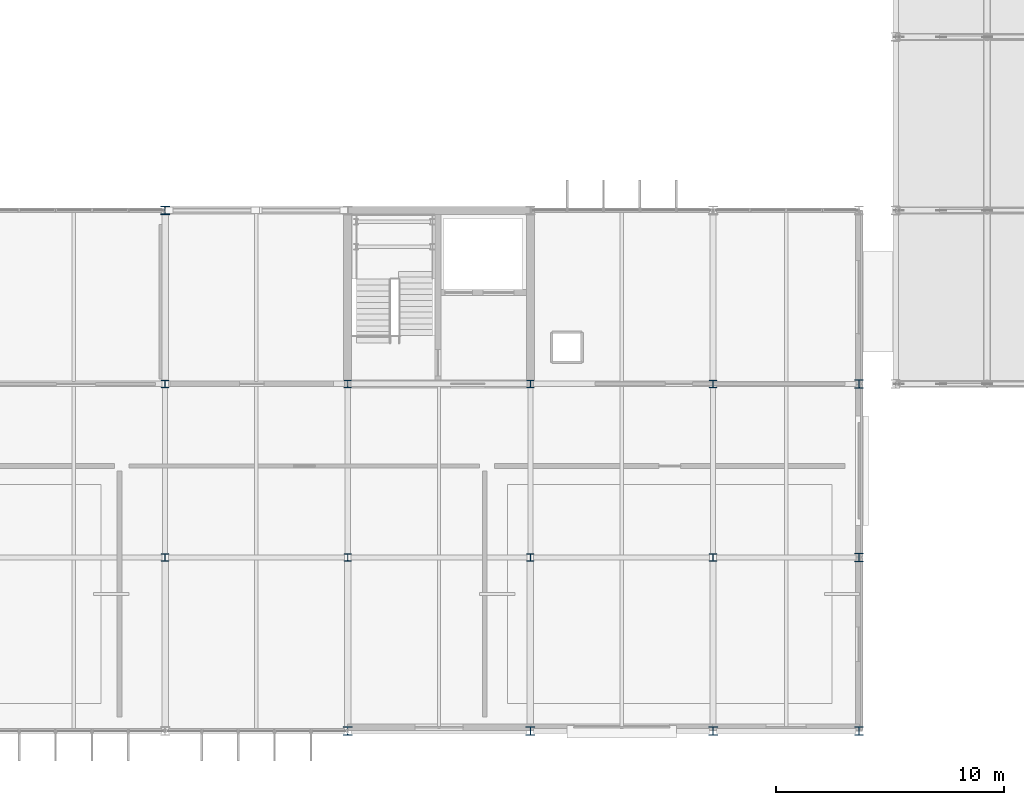
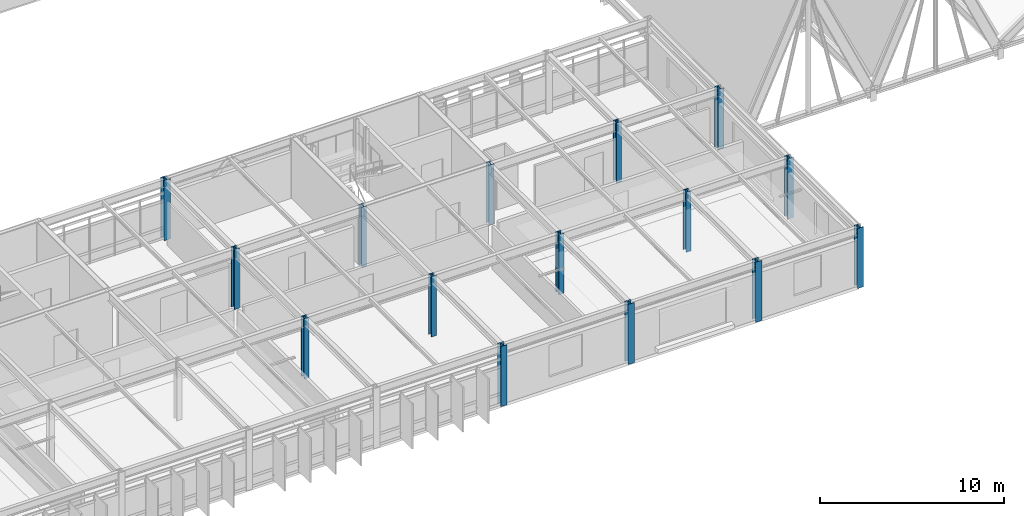
# One storey, part 3 of 85: 15 columns.
"""IFC4 building model written with IfcOpenShell, lengths in metres."""

from ifc_helpers import new_model, si_unit, direction, frame, origin, origin_2d, place, context, subcontext, project, spatial, i_section, extrude, material, material_profile, profile_set, type_object, element, save


model = new_model("IFC4")

# Units and contexts
model_context = context("Model", 3, precision=1e-05, world=origin(), true_north=direction((0.0, 1.0)))
body_context = subcontext(model_context, "Body", "Model", "MODEL_VIEW")
ifc_project = project(units=[si_unit("LENGTHUNIT", "METRE"), si_unit("AREAUNIT", "SQUARE_METRE"), si_unit("VOLUMEUNIT", "CUBIC_METRE"), si_unit("PLANEANGLEUNIT", "RADIAN"), si_unit("MASSUNIT", "GRAM", prefix="KILO")], contexts=[model_context])

# Site, building, storey
site_placement = place(None, origin())
site = spatial("IfcSite", under=ifc_project, at=site_placement, CompositionType="ELEMENT")
building_placement = place(site_placement, origin())
building = spatial("IfcBuilding", under=site, at=building_placement, Name="Zulena Civic Courthouse", CompositionType="ELEMENT")
storey_placement = place(building_placement, frame((0.0, 0.0, 25.199951171875)))
storey = spatial("IfcBuildingStorey", under=building, at=storey_placement, Name="L05", CompositionType="ELEMENT", Elevation=25.199951171875)

# Columns
ifc_material = material(Name="Steel ASTM A992 Grade 50", Category="steel")
ifc_material_profile_1 = material_profile(ifc_material, i_section(OverallWidth=0.31298828125, OverallDepth=0.3330078125, WebThickness=0.01806640625, FlangeThickness=0.0283203125, FilletRadius=0.01513671875, at=origin_2d()), Name="W12X120")
ifc_profile_set_1 = profile_set([ifc_material_profile_1], Name="Steel ASTM A992 Grade 50")
column_type_1 = type_object("IfcColumnType", Name="Col_W12X120", PredefinedType="COLUMN", material=ifc_profile_set_1)
for number, where, z_axis, x_axis, name in (
    (1, (36.0, 7.60009765625, 0.0), (0.0, 0.0, 1.0), (1.0, 0.0, 0.0), "col:V2:L05:36.0:7.6"),
    (2, (36.0, 15.199951171875, 0.0), (0.0, 0.0, 1.0), (1.0, 0.0, 0.0), "col:V2:L05:36.0:15.2"),
    (3, (44.0, 7.60009765625, 0.0), (0.0, 0.0, 1.0), (1.0, 0.0, 0.0), "col:V2:L05:44.0:7.6"),
    (4, (44.0, 15.199951171875, 0.0), (0.0, 0.0, 1.0), (1.0, 0.0, 0.0), "col:V2:L05:44.0:15.2"),
    (5, (52.0, 7.60009765625, 0.0), (0.0, 0.0, 1.0), (1.0, 0.0, 0.0), "col:V2:L05:52.0:7.6"),
    (6, (52.0, 15.199951171875, 0.0), (0.0, 0.0, 1.0), (1.0, 0.0, 0.0), "col:V2:L05:52.0:15.2"),
    (7, (60.0, 7.60009765625, 0.0), (0.0, 0.0, 1.0), (1.0, 0.0, 0.0), "col:V2:L05:60.0:7.6"),
    (8, (60.0, 15.199951171875, 0.0), (0.0, 0.0, 1.0), (1.0, 0.0, 0.0), "col:V2:L05:60.0:15.2"),
):
    element("IfcColumn", number, at=place(storey_placement, frame(where, z_axis=z_axis, x_axis=x_axis)), inside=storey, type_object=column_type_1, Name=name, PredefinedType="COLUMN", context=body_context, shape_type="SweptSolid", body=[
        extrude(i_section(OverallWidth=0.31298828125, OverallDepth=0.3330078125, WebThickness=0.01806640625, FlangeThickness=0.0283203125, FilletRadius=0.01513671875, at=origin_2d()), origin(), (0.0, 0.0, 1.0), 3.9951171875),
    ])
ifc_material_profile_2 = material_profile(ifc_material, i_section(OverallWidth=0.373046875, OverallDepth=0.367919921875, WebThickness=0.014892578125, FlangeThickness=0.02392578125, FilletRadius=0.01513671875, at=origin_2d()), Name="W14X120")
ifc_profile_set_2 = profile_set([ifc_material_profile_2], Name="Steel ASTM A992 Grade 50")
column_type_2 = type_object("IfcColumnType", Name="Col_W14X120", PredefinedType="COLUMN", material=ifc_profile_set_2)
for number, where, z_axis, x_axis, name in (
    (9, (66.39990234375, 0.0, 0.0), (0.0, 0.0, 1.0), (1.0, 0.0, 0.0), "col:V2:L05:66.4:0.0"),
    (10, (66.39990234375, 7.60009765625, 0.0), (0.0, 0.0, 1.0), (1.0, 0.0, 0.0), "col:V2:L05:66.4:7.6"),
    (11, (66.39990234375, 15.199951171875, 0.0), (0.0, 0.0, 1.0), (1.0, 0.0, 0.0), "col:V2:L05:66.4:15.2"),
):
    element("IfcColumn", number, at=place(storey_placement, frame(where, z_axis=z_axis, x_axis=x_axis)), inside=storey, type_object=column_type_2, Name=name, PredefinedType="COLUMN", context=body_context, shape_type="SweptSolid", body=[
        extrude(i_section(OverallWidth=0.373046875, OverallDepth=0.367919921875, WebThickness=0.014892578125, FlangeThickness=0.02392578125, FilletRadius=0.01513671875, at=origin_2d()), origin(), (0.0, 0.0, 1.0), 3.9951171875),
    ])
ifc_material_profile_3 = material_profile(ifc_material, i_section(OverallWidth=0.39404296875, OverallDepth=0.3759765625, WebThickness=0.017333984375, FlangeThickness=0.027587890625, FilletRadius=0.01513671875, at=origin_2d()), Name="W14X145")
ifc_profile_set_3 = profile_set([ifc_material_profile_3], Name="Steel ASTM A992 Grade 50")
column_type_3 = type_object("IfcColumnType", Name="Col_W14X145", PredefinedType="COLUMN", material=ifc_profile_set_3)
for number, where, z_axis, x_axis, name in (
    (12, (36.0, 22.800048828125, 0.0), (0.0, 0.0, 1.0), (1.0, 0.0, 0.0), "col:V2:L05:36.0:22.8"),
    (13, (44.0, 0.0, 0.0), (0.0, 0.0, 1.0), (1.0, 0.0, 0.0), "col:V2:L05:44.0:0.0"),
    (14, (52.0, 0.0, 0.0), (0.0, 0.0, 1.0), (1.0, 0.0, 0.0), "col:V2:L05:52.0:0.0"),
    (15, (60.0, 0.0, 0.0), (0.0, 0.0, 1.0), (1.0, 0.0, 0.0), "col:V2:L05:60.0:0.0"),
):
    element("IfcColumn", number, at=place(storey_placement, frame(where, z_axis=z_axis, x_axis=x_axis)), inside=storey, type_object=column_type_3, Name=name, PredefinedType="COLUMN", context=body_context, shape_type="SweptSolid", body=[
        extrude(i_section(OverallWidth=0.39404296875, OverallDepth=0.3759765625, WebThickness=0.017333984375, FlangeThickness=0.027587890625, FilletRadius=0.01513671875, at=origin_2d()), origin(), (0.0, 0.0, 1.0), 3.9951171875),
    ])

save(model, "model.ifc")
